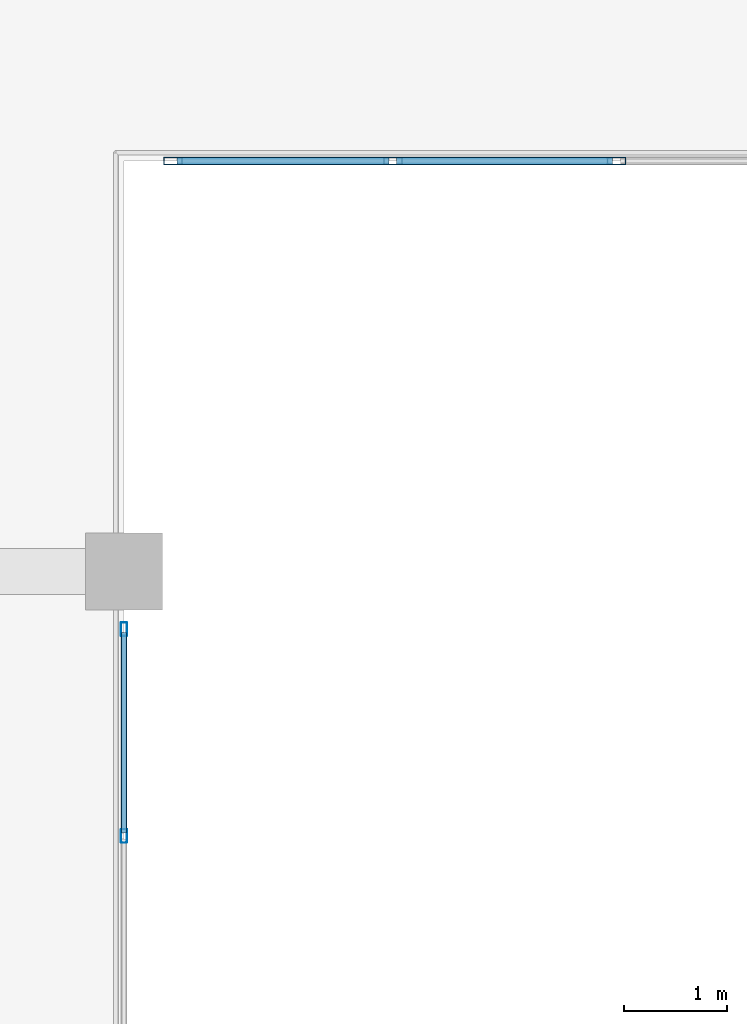
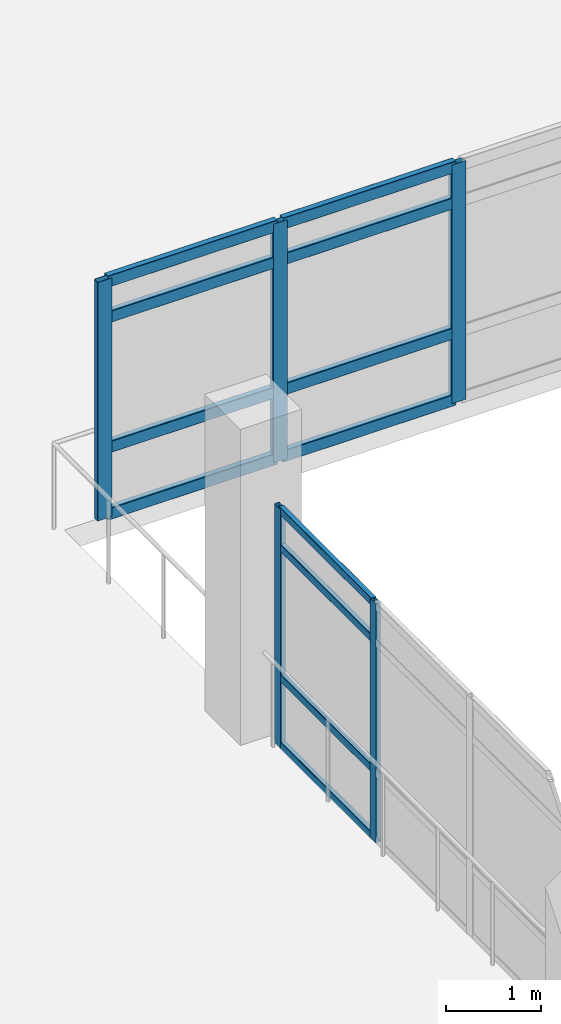
# One storey, part 88 of 180: 17 members, 2 elements without a shape of their own.
"""IFC4 building model written with IfcOpenShell, lengths in metres."""

from ifc_helpers import new_model, si_unit, direction, frame, origin, origin_2d, place, context, subcontext, project, spatial, hollow_rectangle, extrude, material, layer, layer_set, material_profile, profile_set, type_object, element, aggregate, save


model = new_model("IFC4")

# Units and contexts
model_context = context("Model", 3, precision=1e-05, world=origin(), true_north=direction((0.0, 1.0)))
body_context = subcontext(model_context, "Body", "Model", "MODEL_VIEW")
ifc_project = project(units=[si_unit("LENGTHUNIT", "METRE"), si_unit("AREAUNIT", "SQUARE_METRE"), si_unit("VOLUMEUNIT", "CUBIC_METRE"), si_unit("PLANEANGLEUNIT", "RADIAN"), si_unit("MASSUNIT", "GRAM", prefix="KILO")], contexts=[model_context])

# Site, building, storey
site_placement = place(None, origin())
site = spatial("IfcSite", under=ifc_project, at=site_placement, CompositionType="ELEMENT")
building_placement = place(site_placement, origin())
building = spatial("IfcBuilding", under=site, at=building_placement, Name="Asteropetra Specialist Clinic", CompositionType="ELEMENT")
storey_placement = place(building_placement, frame((0.0, 0.0, 4.419921875)))
storey = spatial("IfcBuildingStorey", under=building, at=storey_placement, Name="L01", CompositionType="ELEMENT", Elevation=4.419921875)

# Curtain wall, members
ifc_material_1 = material(Name="Aluminium and low-E glass", Category="aluminium")
ifc_layer_1 = layer(ifc_material_1, 0.14990234375)
ifc_layer_set_1 = layer_set([ifc_layer_1], Name="Aluminium and low-E glass")
curtain_wall_type_1 = type_object("IfcCurtainWallType", Name="CW-SYS-05", PredefinedType="USERDEFINED", material=ifc_layer_set_1)
curtain_wall_1_placement = place(storey_placement, origin())
curtain_wall_1 = element("IfcCurtainWall", 1, at=curtain_wall_1_placement, inside=storey, type_object=curtain_wall_type_1, Name="Curtain Wall CW-023", ObjectType="UNITISED CURTAIN WALL", PredefinedType="USERDEFINED")
ifc_material_2 = material(Name="Aluminium 6063-T6", Category="aluminium")
ifc_material_profile_1 = material_profile(ifc_material_2, hollow_rectangle(XDim=0.06005859375, YDim=0.135009765625, WallThickness=0.00341796875, InnerFilletRadius=0.00341796875, OuterFilletRadius=0.007080078125, at=origin_2d()), Name="MUL 135x60x3.5")
ifc_profile_set_1 = profile_set([ifc_material_profile_1], Name="Aluminium 6063-T6")
member_type_1 = type_object("IfcMemberType", Name="CWM-135x60", PredefinedType="MULLION", material=ifc_profile_set_1)
member_1_placement = place(storey_placement, frame((9.60009765625, 90.635009765625, 0.0), z_axis=(0.0, 0.0, 1.0), x_axis=(1.0, 0.0, 0.0)))
member_1 = element("IfcMember", 2, at=member_1_placement, type_object=member_type_1, Name="CW-023 mullion 1", PredefinedType="MULLION", context=body_context, shape_type="SweptSolid", body=[
    extrude(hollow_rectangle(XDim=0.06005859375, YDim=0.135009765625, WallThickness=0.00341796875, InnerFilletRadius=0.00341796875, OuterFilletRadius=0.007080078125, at=origin_2d()), origin(), (0.0, 0.0, 1.0), 3.080078125),
])
member_2_placement = place(storey_placement, frame((9.60009765625, 88.62158203125, 0.0), z_axis=(0.0, 0.0, 1.0), x_axis=(1.0, 0.0, 0.0)))
member_2 = element("IfcMember", 3, at=member_2_placement, type_object=member_type_1, Name="CW-023 mullion 2", PredefinedType="MULLION", context=body_context, shape_type="SweptSolid", body=[
    extrude(hollow_rectangle(XDim=0.06005859375, YDim=0.135009765625, WallThickness=0.00341796875, InnerFilletRadius=0.00341796875, OuterFilletRadius=0.007080078125, at=origin_2d()), origin(), (0.0, 0.0, 1.0), 3.080078125),
])

ifc_material_3 = material(Name="Aluminium and low-E glass", Category="aluminium")
ifc_layer_2 = layer(ifc_material_3, 0.135009765625)
ifc_layer_set_2 = layer_set([ifc_layer_2], Name="Aluminium and low-E glass")
curtain_wall_type_2 = type_object("IfcCurtainWallType", Name="CW-SYS-03", PredefinedType="USERDEFINED", material=ifc_layer_set_2)
curtain_wall_2_placement = place(storey_placement, origin())
curtain_wall_2 = element("IfcCurtainWall", 4, at=curtain_wall_2_placement, inside=storey, type_object=curtain_wall_type_2, Name="Curtain Wall CW-018", ObjectType="UNITISED CURTAIN WALL", PredefinedType="USERDEFINED")
ifc_material_4 = material(Name="Aluminium 6063-T6", Category="aluminium")
ifc_material_profile_2 = material_profile(ifc_material_4, hollow_rectangle(XDim=0.074951171875, YDim=0.179931640625, WallThickness=0.00390625, InnerFilletRadius=0.00390625, OuterFilletRadius=0.008056640625, at=origin_2d()), Name="MUL 180x75x4.0")
ifc_profile_set_2 = profile_set([ifc_material_profile_2], Name="Aluminium 6063-T6")
member_type_2 = type_object("IfcMemberType", Name="CWM-180x75", PredefinedType="MULLION", material=ifc_profile_set_2)
member_3_placement = place(storey_placement, frame((14.39990234375, 95.199951171875, 0.0), z_axis=(0.0, 0.0, 1.0), x_axis=(0.0, -1.0, 0.0)))
member_3 = element("IfcMember", 5, at=member_3_placement, type_object=member_type_2, Name="CW-018 mullion 3", PredefinedType="MULLION", context=body_context, shape_type="SweptSolid", body=[
    extrude(hollow_rectangle(XDim=0.074951171875, YDim=0.179931640625, WallThickness=0.00390625, InnerFilletRadius=0.00390625, OuterFilletRadius=0.008056640625, at=origin_2d()), origin(), (0.0, 0.0, 1.0), 3.080078125),
])
member_4_placement = place(storey_placement, frame((12.219970703125, 95.199951171875, 0.0), z_axis=(0.0, 0.0, 1.0), x_axis=(0.0, -1.0, 0.0)))
member_4 = element("IfcMember", 6, at=member_4_placement, type_object=member_type_2, Name="CW-018 mullion 4", PredefinedType="MULLION", context=body_context, shape_type="SweptSolid", body=[
    extrude(hollow_rectangle(XDim=0.074951171875, YDim=0.179931640625, WallThickness=0.00390625, InnerFilletRadius=0.00390625, OuterFilletRadius=0.008056640625, at=origin_2d()), origin(), (0.0, 0.0, 1.0), 3.080078125),
])
member_5_placement = place(storey_placement, frame((10.077392578125, 95.199951171875, 0.0), z_axis=(0.0, 0.0, 1.0), x_axis=(0.0, -1.0, 0.0)))
member_5 = element("IfcMember", 7, at=member_5_placement, type_object=member_type_2, Name="CW-018 mullion 5", PredefinedType="MULLION", context=body_context, shape_type="SweptSolid", body=[
    extrude(hollow_rectangle(XDim=0.074951171875, YDim=0.179931640625, WallThickness=0.00390625, InnerFilletRadius=0.00390625, OuterFilletRadius=0.008056640625, at=origin_2d()), origin(), (0.0, 0.0, 1.0), 3.080078125),
])

# Member
ifc_material_5 = material(Name="Aluminium 6063-T6", Category="aluminium")
ifc_material_profile_3 = material_profile(ifc_material_5, hollow_rectangle(XDim=0.06005859375, YDim=0.10009765625, WallThickness=0.00341796875, InnerFilletRadius=0.00341796875, OuterFilletRadius=0.007080078125, at=origin_2d()), Name="TRN 100x60x3.5")
ifc_profile_set_3 = profile_set([ifc_material_profile_3], Name="Aluminium 6063-T6")
member_type_3 = type_object("IfcMemberType", Name="CWT-100x60", PredefinedType="USERDEFINED", material=ifc_profile_set_3)
member_6_placement = place(storey_placement, frame((9.60009765625, 90.60498046875, 0.030029296875), z_axis=(0.0, -1.0, 0.0), x_axis=(1.0, 0.0, 0.0)))
member_6 = element("IfcMember", 8, at=member_6_placement, type_object=member_type_3, Name="CW-023 transom 1.1", ObjectType="TRANSOM", PredefinedType="USERDEFINED", context=body_context, shape_type="SweptSolid", body=[
    extrude(hollow_rectangle(XDim=0.06005859375, YDim=0.10009765625, WallThickness=0.00341796875, InnerFilletRadius=0.00341796875, OuterFilletRadius=0.007080078125, at=origin_2d()), origin(), (0.0, 0.0, 1.0), 1.953369140625),
])

member_7_placement = place(storey_placement, frame((9.60009765625, 90.60498046875, 0.900146484375), z_axis=(0.0, -1.0, 0.0), x_axis=(1.0, 0.0, 0.0)))
member_7 = element("IfcMember", 9, at=member_7_placement, type_object=member_type_3, Name="CW-023 transom 1.2", ObjectType="TRANSOM", PredefinedType="USERDEFINED", context=body_context, shape_type="SweptSolid", body=[
    extrude(hollow_rectangle(XDim=0.06005859375, YDim=0.10009765625, WallThickness=0.00341796875, InnerFilletRadius=0.00341796875, OuterFilletRadius=0.007080078125, at=origin_2d()), origin(), (0.0, 0.0, 1.0), 1.953369140625),
])

member_8_placement = place(storey_placement, frame((9.60009765625, 90.60498046875, 2.580078125), z_axis=(0.0, -1.0, 0.0), x_axis=(1.0, 0.0, 0.0)))
member_8 = element("IfcMember", 10, at=member_8_placement, type_object=member_type_3, Name="CW-023 transom 1.3", ObjectType="TRANSOM", PredefinedType="USERDEFINED", context=body_context, shape_type="SweptSolid", body=[
    extrude(hollow_rectangle(XDim=0.06005859375, YDim=0.10009765625, WallThickness=0.00341796875, InnerFilletRadius=0.00341796875, OuterFilletRadius=0.007080078125, at=origin_2d()), origin(), (0.0, 0.0, 1.0), 1.953369140625),
])

member_9_placement = place(storey_placement, frame((9.60009765625, 90.60498046875, 3.050048828125), z_axis=(0.0, -1.0, 0.0), x_axis=(1.0, 0.0, 0.0)))
member_9 = element("IfcMember", 11, at=member_9_placement, type_object=member_type_3, Name="CW-023 transom 1.4", ObjectType="TRANSOM", PredefinedType="USERDEFINED", context=body_context, shape_type="SweptSolid", body=[
    extrude(hollow_rectangle(XDim=0.06005859375, YDim=0.10009765625, WallThickness=0.00341796875, InnerFilletRadius=0.00341796875, OuterFilletRadius=0.007080078125, at=origin_2d()), origin(), (0.0, 0.0, 1.0), 1.953369140625),
])

aggregate(curtain_wall_1, [member_1, member_2, member_6, member_7, member_8, member_9])

ifc_material_6 = material(Name="Aluminium 6063-T6", Category="aluminium")
ifc_material_profile_4 = material_profile(ifc_material_6, hollow_rectangle(XDim=0.074951171875, YDim=0.14990234375, WallThickness=0.00390625, InnerFilletRadius=0.00390625, OuterFilletRadius=0.008056640625, at=origin_2d()), Name="TRN 150x75x4.0")
ifc_profile_set_4 = profile_set([ifc_material_profile_4], Name="Aluminium 6063-T6")
member_type_4 = type_object("IfcMemberType", Name="CWT-150x75", PredefinedType="USERDEFINED", material=ifc_profile_set_4)
member_10_placement = place(storey_placement, frame((14.362548828125, 95.199951171875, 0.03759765625), z_axis=(-1.0, 0.0, 0.0), x_axis=(0.0, -1.0, 0.0)))
member_10 = element("IfcMember", 12, at=member_10_placement, type_object=member_type_4, Name="CW-018 transom 3.1", ObjectType="TRANSOM", PredefinedType="USERDEFINED", context=body_context, shape_type="SweptSolid", body=[
    extrude(hollow_rectangle(XDim=0.074951171875, YDim=0.14990234375, WallThickness=0.00390625, InnerFilletRadius=0.00390625, OuterFilletRadius=0.008056640625, at=origin_2d()), origin(), (0.0, 0.0, 1.0), 2.10498046875),
])

member_11_placement = place(storey_placement, frame((14.362548828125, 95.199951171875, 0.900146484375), z_axis=(-1.0, 0.0, 0.0), x_axis=(0.0, -1.0, 0.0)))
member_11 = element("IfcMember", 13, at=member_11_placement, type_object=member_type_4, Name="CW-018 transom 3.2", ObjectType="TRANSOM", PredefinedType="USERDEFINED", context=body_context, shape_type="SweptSolid", body=[
    extrude(hollow_rectangle(XDim=0.074951171875, YDim=0.14990234375, WallThickness=0.00390625, InnerFilletRadius=0.00390625, OuterFilletRadius=0.008056640625, at=origin_2d()), origin(), (0.0, 0.0, 1.0), 2.10498046875),
])

member_12_placement = place(storey_placement, frame((14.362548828125, 95.199951171875, 2.580078125), z_axis=(-1.0, 0.0, 0.0), x_axis=(0.0, -1.0, 0.0)))
member_12 = element("IfcMember", 14, at=member_12_placement, type_object=member_type_4, Name="CW-018 transom 3.3", ObjectType="TRANSOM", PredefinedType="USERDEFINED", context=body_context, shape_type="SweptSolid", body=[
    extrude(hollow_rectangle(XDim=0.074951171875, YDim=0.14990234375, WallThickness=0.00390625, InnerFilletRadius=0.00390625, OuterFilletRadius=0.008056640625, at=origin_2d()), origin(), (0.0, 0.0, 1.0), 2.10498046875),
])

member_13_placement = place(storey_placement, frame((14.362548828125, 95.199951171875, 3.04248046875), z_axis=(-1.0, 0.0, 0.0), x_axis=(0.0, -1.0, 0.0)))
member_13 = element("IfcMember", 15, at=member_13_placement, type_object=member_type_4, Name="CW-018 transom 3.4", ObjectType="TRANSOM", PredefinedType="USERDEFINED", context=body_context, shape_type="SweptSolid", body=[
    extrude(hollow_rectangle(XDim=0.074951171875, YDim=0.14990234375, WallThickness=0.00390625, InnerFilletRadius=0.00390625, OuterFilletRadius=0.008056640625, at=origin_2d()), origin(), (0.0, 0.0, 1.0), 2.10498046875),
])

member_14_placement = place(storey_placement, frame((12.1826171875, 95.199951171875, 0.03759765625), z_axis=(-1.0, 0.0, 0.0), x_axis=(0.0, -1.0, 0.0)))
member_14 = element("IfcMember", 16, at=member_14_placement, type_object=member_type_4, Name="CW-018 transom 4.1", ObjectType="TRANSOM", PredefinedType="USERDEFINED", context=body_context, shape_type="SweptSolid", body=[
    extrude(hollow_rectangle(XDim=0.074951171875, YDim=0.14990234375, WallThickness=0.00390625, InnerFilletRadius=0.00390625, OuterFilletRadius=0.008056640625, at=origin_2d()), origin(), (0.0, 0.0, 1.0), 2.067626953125),
])

member_15_placement = place(storey_placement, frame((12.1826171875, 95.199951171875, 0.900146484375), z_axis=(-1.0, 0.0, 0.0), x_axis=(0.0, -1.0, 0.0)))
member_15 = element("IfcMember", 17, at=member_15_placement, type_object=member_type_4, Name="CW-018 transom 4.2", ObjectType="TRANSOM", PredefinedType="USERDEFINED", context=body_context, shape_type="SweptSolid", body=[
    extrude(hollow_rectangle(XDim=0.074951171875, YDim=0.14990234375, WallThickness=0.00390625, InnerFilletRadius=0.00390625, OuterFilletRadius=0.008056640625, at=origin_2d()), origin(), (0.0, 0.0, 1.0), 2.067626953125),
])

member_16_placement = place(storey_placement, frame((12.1826171875, 95.199951171875, 2.580078125), z_axis=(-1.0, 0.0, 0.0), x_axis=(0.0, -1.0, 0.0)))
member_16 = element("IfcMember", 18, at=member_16_placement, type_object=member_type_4, Name="CW-018 transom 4.3", ObjectType="TRANSOM", PredefinedType="USERDEFINED", context=body_context, shape_type="SweptSolid", body=[
    extrude(hollow_rectangle(XDim=0.074951171875, YDim=0.14990234375, WallThickness=0.00390625, InnerFilletRadius=0.00390625, OuterFilletRadius=0.008056640625, at=origin_2d()), origin(), (0.0, 0.0, 1.0), 2.067626953125),
])

member_17_placement = place(storey_placement, frame((12.1826171875, 95.199951171875, 3.04248046875), z_axis=(-1.0, 0.0, 0.0), x_axis=(0.0, -1.0, 0.0)))
member_17 = element("IfcMember", 19, at=member_17_placement, type_object=member_type_4, Name="CW-018 transom 4.4", ObjectType="TRANSOM", PredefinedType="USERDEFINED", context=body_context, shape_type="SweptSolid", body=[
    extrude(hollow_rectangle(XDim=0.074951171875, YDim=0.14990234375, WallThickness=0.00390625, InnerFilletRadius=0.00390625, OuterFilletRadius=0.008056640625, at=origin_2d()), origin(), (0.0, 0.0, 1.0), 2.067626953125),
])

aggregate(curtain_wall_2, [member_3, member_4, member_5, member_10, member_11, member_12, member_13, member_14, member_15, member_16, member_17])

save(model, "model.ifc")
